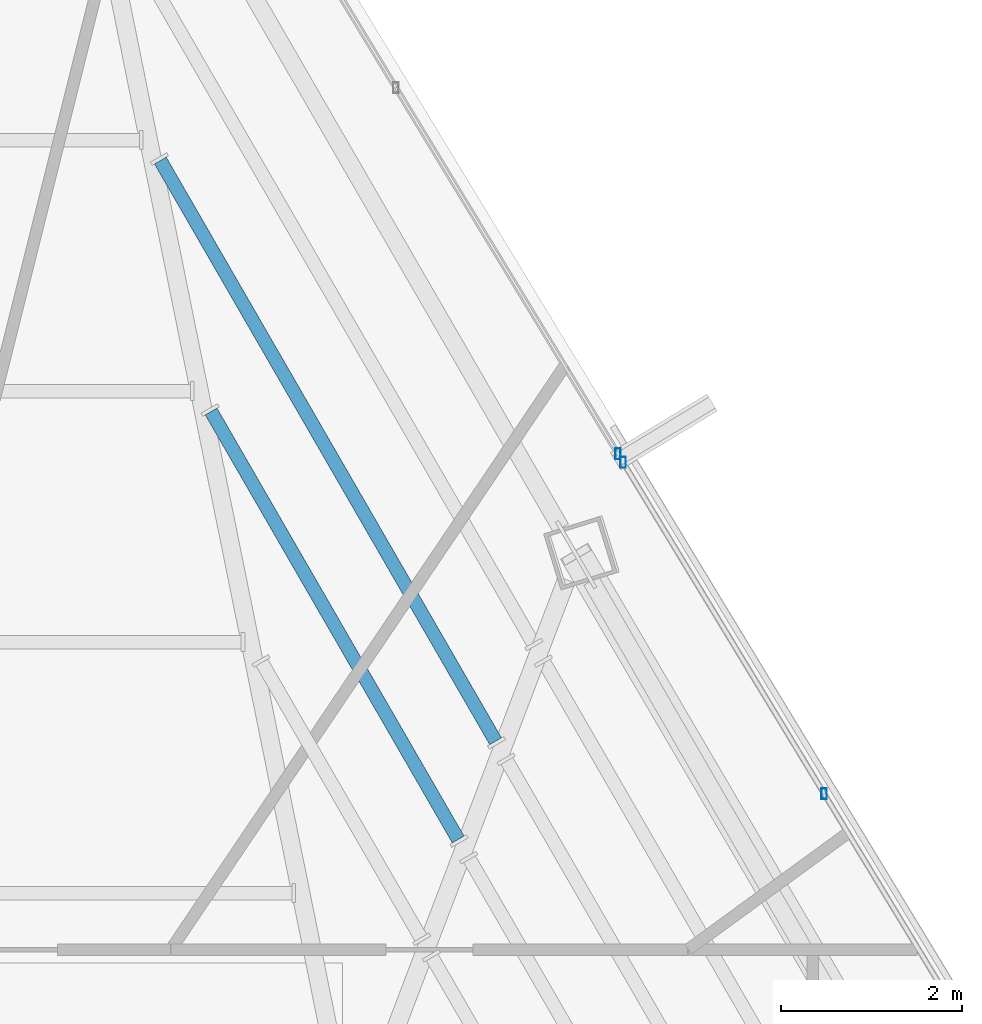
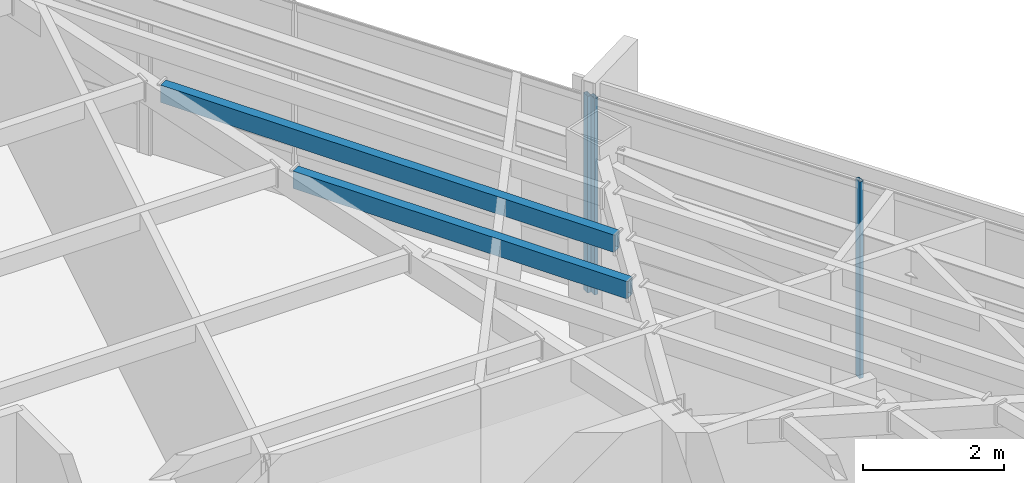
# One storey, part 28 of 45: 3 members, 2 beams, 2 elements without a shape of their own.
"""IFC4 building model written with IfcOpenShell, lengths in metres."""

from ifc_helpers import new_model, si_unit, direction, frame, origin, origin_2d, place, context, subcontext, project, spatial, hollow_rectangle, extrude, source, transform, mapped, material, material_profile, profile_set, type_object, type_shapes, element, aggregate, save


model = new_model("IFC4")

# Units and contexts
model_context = context("Model", 3, precision=1e-05, world=origin(), true_north=direction((0.0, 1.0)))
body_context = subcontext(model_context, "Body", "Model", "MODEL_VIEW")
ifc_project = project(units=[si_unit("LENGTHUNIT", "METRE"), si_unit("AREAUNIT", "SQUARE_METRE"), si_unit("VOLUMEUNIT", "CUBIC_METRE"), si_unit("PLANEANGLEUNIT", "RADIAN"), si_unit("MASSUNIT", "GRAM", prefix="KILO")], contexts=[model_context])

# Site, building, storey
site_placement = place(None, origin())
site = spatial("IfcSite", under=ifc_project, at=site_placement, CompositionType="ELEMENT")
building_placement = place(site_placement, origin())
building = spatial("IfcBuilding", under=site, at=building_placement, Name="Caelisora Broadcast Tower", CompositionType="ELEMENT")
storey_placement = place(building_placement, frame((0.0, 0.0, 240.800048828125)))
storey = spatial("IfcBuildingStorey", under=building, at=storey_placement, Name="L63", CompositionType="ELEMENT", Elevation=240.800048828125)

# Beams
ifc_material_1 = material(Name="Steel Grade 350 (AS/NZS 1163 C350L0)", Category="steel")
ifc_material_profile_1 = material_profile(ifc_material_1, hollow_rectangle(XDim=0.14990234375, YDim=0.300048828125, WallThickness=0.010009765625, at=origin_2d()), Name="Steel Grade 350 (AS/NZS 1163 C350L0)")
ifc_profile_set_1 = profile_set([ifc_material_profile_1], Name="Steel Grade 350 (AS/NZS 1163 C350L0)")
beam_type = type_object("IfcBeamType", Name="SB05", PredefinedType="JOIST", material=ifc_profile_set_1)
shared_shape_1 = source(origin(), body_context, "Body", "SweptSolid", [
    extrude(hollow_rectangle(XDim=0.14990234375, YDim=0.300048828125, WallThickness=0.010009765625, at=origin_2d()), origin(), (0.0, 0.0, 1.0), 5.46484375),
])
beam_1_placement = place(storey_placement, frame((46.67822265625, 33.368896484375, 3.25), z_axis=(-0.500002178967, 0.866024145754, 0.0), x_axis=(-0.866024145754, -0.500002178967, 0.0)))
element("IfcBeam", 1, at=beam_1_placement, inside=storey, type_object=beam_type, Name="L63 beam SB05", PredefinedType="JOIST", context=body_context, shape_type="MappedRepresentation", body=[
    mapped(shared_shape_1, transform((0.0, 0.0, 0.0), scale=1.0)),
])
shared_shape_2 = source(origin(), body_context, "Body", "SweptSolid", [
    extrude(hollow_rectangle(XDim=0.14990234375, YDim=0.300048828125, WallThickness=0.010009765625, at=origin_2d()), origin(), (0.0, 0.0, 1.0), 7.4150390625),
])
type_shapes(beam_type, [shared_shape_1, shared_shape_2])
beam_2_placement = place(storey_placement, frame((47.091796875, 34.45556640625, 3.25), z_axis=(-0.499974215864, 0.866040289751, 0.0), x_axis=(-0.866040289751, -0.499974215864, 0.0)))
element("IfcBeam", 2, at=beam_2_placement, inside=storey, type_object=beam_type, Name="L63 beam SB05", PredefinedType="JOIST", context=body_context, shape_type="MappedRepresentation", body=[
    mapped(shared_shape_2, transform((0.0, 0.0, 0.0), scale=1.0)),
])

# Curtain wall, member
ifc_material_2 = material(Name="Unitised Aluminium and Low-E Glass Curtain Wall", Category="glass")
curtain_wall_type_1 = type_object("IfcCurtainWallType", Name="CW-Z5", PredefinedType="NOTDEFINED", material=ifc_material_2)
curtain_wall_1_placement = place(storey_placement, origin())
curtain_wall_1 = element("IfcCurtainWall", 3, at=curtain_wall_1_placement, inside=storey, type_object=curtain_wall_type_1, Name="L63 curtain wall CW-Z5", PredefinedType="NOTDEFINED")
ifc_material_3 = material(Name="Aluminium 6063-T6 Anodised Terracotta Bronze", Category="aluminium")
ifc_material_profile_2 = material_profile(ifc_material_3, hollow_rectangle(XDim=0.06005859375, YDim=0.1201171875, WallThickness=0.0029296875, at=origin_2d()), Name="Aluminium 6063-T6 Anodised Terracotta Bronze")
ifc_profile_set_2 = profile_set([ifc_material_profile_2], Name="Aluminium 6063-T6 Anodised Terracotta Bronze")
member_type = type_object("IfcMemberType", Name="CWM-04", PredefinedType="MULLION", material=ifc_profile_set_2)
shared_shape_3 = source(origin(), body_context, "Body", "SweptSolid", [
    extrude(hollow_rectangle(XDim=0.06005859375, YDim=0.1201171875, WallThickness=0.0029296875, at=origin_2d()), origin(), (0.0, 0.0, 1.0), 3.39990234375),
])
type_shapes(member_type, [shared_shape_3])
member_1_placement = place(storey_placement, frame((48.4453125, 37.633056640625, 0.0), z_axis=(0.0, 0.0, 1.0), x_axis=(1.0, 0.0, 0.0)))
member_1 = element("IfcMember", 4, at=member_1_placement, type_object=member_type, Name="L63-CW-B01 mullion #3", PredefinedType="MULLION", context=body_context, shape_type="MappedRepresentation", body=[
    mapped(shared_shape_3, transform((0.0, 0.0, 0.0), scale=1.0)),
])
aggregate(curtain_wall_1, [member_1])

# Curtain wall, members
ifc_material_4 = material(Name="Unitised Aluminium Insulated Shadow-Box Spandrel Curtain Wall", Category="aluminium")
curtain_wall_type_2 = type_object("IfcCurtainWallType", Name="CW-SP3", PredefinedType="NOTDEFINED", material=ifc_material_4)
curtain_wall_2_placement = place(storey_placement, origin())
curtain_wall_2 = element("IfcCurtainWall", 5, at=curtain_wall_2_placement, inside=storey, type_object=curtain_wall_type_2, Name="L63 curtain wall CW-SP3", PredefinedType="NOTDEFINED")
member_2_placement = place(storey_placement, frame((48.50244140625, 37.5390625, 0.0), z_axis=(0.0, 0.0, 1.0), x_axis=(1.0, 0.0, 0.0)))
member_2 = element("IfcMember", 6, at=member_2_placement, type_object=member_type, Name="L63-CW-B02 mullion #0", PredefinedType="MULLION", context=body_context, shape_type="MappedRepresentation", body=[
    mapped(shared_shape_3, transform((0.0, 0.0, 0.0), scale=1.0)),
])
member_3_placement = place(storey_placement, frame((50.72509765625, 33.875, 0.0), z_axis=(0.0, 0.0, 1.0), x_axis=(1.0, 0.0, 0.0)))
member_3 = element("IfcMember", 7, at=member_3_placement, type_object=member_type, Name="L63-CW-B02 mullion #1", PredefinedType="MULLION", context=body_context, shape_type="MappedRepresentation", body=[
    mapped(shared_shape_3, transform((0.0, 0.0, 0.0), scale=1.0)),
])
aggregate(curtain_wall_2, [member_2, member_3])

save(model, "model.ifc")
